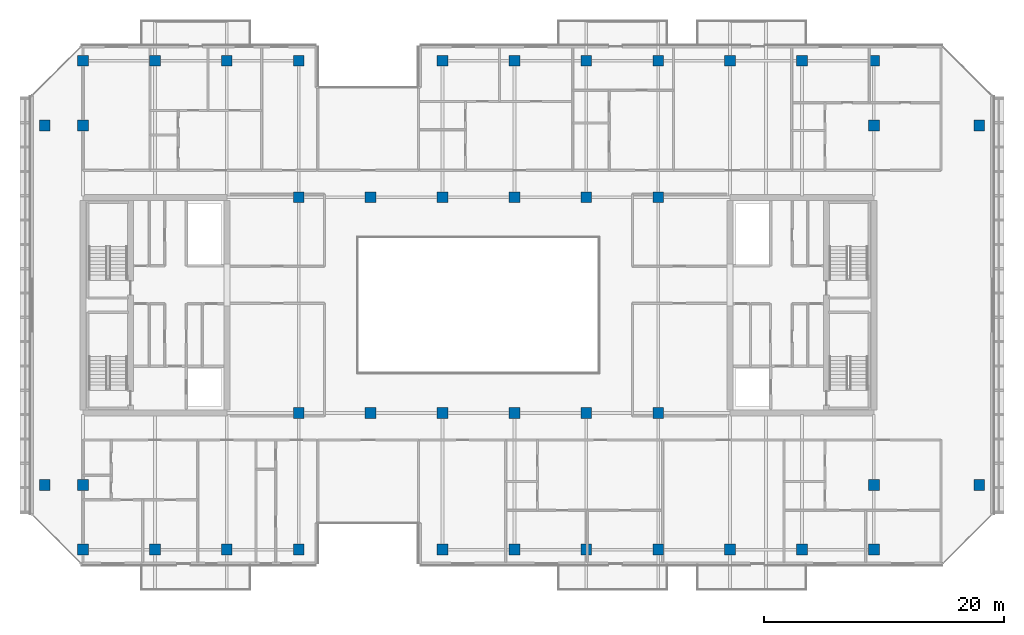
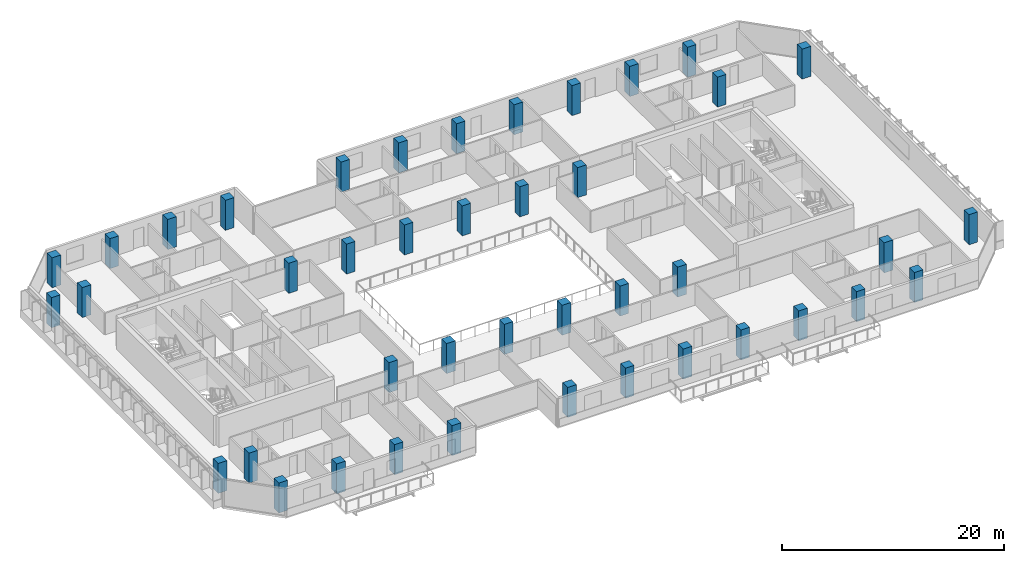
# One storey, part 1 of 29: 42 columns.
"""IFC4 building model written with IfcOpenShell, lengths in metres."""

from ifc_helpers import new_model, si_unit, direction, frame, origin, origin_2d, place, context, subcontext, project, spatial, rectangle, extrude, material, material_profile, profile_set, type_object, element, save


model = new_model("IFC4")

# Units and contexts
model_context = context("Model", 3, precision=1e-05, world=origin(), true_north=direction((0.0, 1.0)))
body_context = subcontext(model_context, "Body", "Model", "MODEL_VIEW")
ifc_project = project(units=[si_unit("LENGTHUNIT", "METRE"), si_unit("AREAUNIT", "SQUARE_METRE"), si_unit("VOLUMEUNIT", "CUBIC_METRE"), si_unit("PLANEANGLEUNIT", "RADIAN"), si_unit("MASSUNIT", "GRAM", prefix="KILO")], contexts=[model_context])

# Site, building, storey
site_placement = place(None, origin())
site = spatial("IfcSite", under=ifc_project, at=site_placement, CompositionType="ELEMENT")
building_placement = place(site_placement, origin())
building = spatial("IfcBuilding", under=site, at=building_placement, Name="Tanjung Sevakor Pilgrim Tower", CompositionType="ELEMENT")
storey_placement = place(building_placement, frame((0.0, 0.0, 148.5)))
storey = spatial("IfcBuildingStorey", under=building, at=storey_placement, Name="L41", CompositionType="ELEMENT", Elevation=148.5)

# Columns
ifc_material = material(Name="Concrete C60/75", Category="concrete")
ifc_material_profile = material_profile(ifc_material, rectangle(XDim=0.89990234375, YDim=0.89990234375, at=origin_2d()))
ifc_profile_set = profile_set([ifc_material_profile], Name="Concrete C60/75")
column_type = type_object("IfcColumnType", Name="COL-C-T900-RC_900x900", PredefinedType="COLUMN", material=ifc_profile_set)
for number, where, z_axis, x_axis, name in (
    (1, (42.0, 24.60009765625, 0.0), (0.0, 0.0, 1.0), (1.0, 0.0, 0.0), "L41 Column SPW-042-246"),
    (2, (42.0, 42.60009765625, 0.0), (0.0, 0.0, 1.0), (1.0, 0.0, 0.0), "L41 Column SPW-042-426"),
    (3, (48.0, 24.60009765625, 0.0), (0.0, 0.0, 1.0), (1.0, 0.0, 0.0), "L41 Column SPW-048-246"),
    (4, (48.0, 42.60009765625, 0.0), (0.0, 0.0, 1.0), (1.0, 0.0, 0.0), "L41 Column SPW-048-426"),
    (5, (54.0, 24.60009765625, 0.0), (0.0, 0.0, 1.0), (1.0, 0.0, 0.0), "L41 Column SPE-054-246"),
    (6, (54.0, 42.60009765625, 0.0), (0.0, 0.0, 1.0), (1.0, 0.0, 0.0), "L41 Column SPE-054-426"),
    (7, (60.0, 24.60009765625, 0.0), (0.0, 0.0, 1.0), (1.0, 0.0, 0.0), "L41 Column SPE-060-246"),
    (8, (60.0, 42.60009765625, 0.0), (0.0, 0.0, 1.0), (1.0, 0.0, 0.0), "L41 Column SPE-060-426"),
    (9, (66.0, 24.60009765625, 0.0), (0.0, 0.0, 1.0), (1.0, 0.0, 0.0), "L41 Column SPE-066-246"),
    (10, (66.0, 42.60009765625, 0.0), (0.0, 0.0, 1.0), (1.0, 0.0, 0.0), "L41 Column SPE-066-426"),
    (11, (72.0, 24.60009765625, 0.0), (0.0, 0.0, 1.0), (1.0, 0.0, 0.0), "L41 Column SPE-072-246"),
    (12, (72.0, 42.60009765625, 0.0), (0.0, 0.0, 1.0), (1.0, 0.0, 0.0), "L41 Column SPE-072-426"),
    (13, (20.800048828125, 18.60009765625, 0.0), (0.0, 0.0, 1.0), (1.0, 0.0, 0.0), "L41 Column TCE-0208-186"),
    (14, (20.800048828125, 48.60009765625, 0.0), (0.0, 0.0, 1.0), (1.0, 0.0, 0.0), "L41 Column TCE-0208-486"),
    (15, (24.0, 18.60009765625, 0.0), (0.0, 0.0, 1.0), (1.0, 0.0, 0.0), "L41 Column TCE-0240-186"),
    (16, (24.0, 48.60009765625, 0.0), (0.0, 0.0, 1.0), (1.0, 0.0, 0.0), "L41 Column TCE-0240-486"),
    (17, (90.0, 18.60009765625, 0.0), (0.0, 0.0, 1.0), (1.0, 0.0, 0.0), "L41 Column TCE-0900-186"),
    (18, (90.0, 48.60009765625, 0.0), (0.0, 0.0, 1.0), (1.0, 0.0, 0.0), "L41 Column TCE-0900-486"),
    (19, (98.800048828125, 18.60009765625, 0.0), (0.0, 0.0, 1.0), (1.0, 0.0, 0.0), "L41 Column TCE-0988-186"),
    (20, (98.800048828125, 48.60009765625, 0.0), (0.0, 0.0, 1.0), (1.0, 0.0, 0.0), "L41 Column TCE-0988-486"),
    (21, (24.0, 13.199951171875, 0.0), (0.0, 0.0, 1.0), (1.0, 0.0, 0.0), "L41 Column TC3-024-132"),
    (22, (24.0, 54.0, 0.0), (0.0, 0.0, 1.0), (1.0, 0.0, 0.0), "L41 Column TC3-024-540"),
    (23, (30.0, 13.199951171875, 0.0), (0.0, 0.0, 1.0), (1.0, 0.0, 0.0), "L41 Column TC3-030-132"),
    (24, (30.0, 54.0, 0.0), (0.0, 0.0, 1.0), (1.0, 0.0, 0.0), "L41 Column TC3-030-540"),
    (25, (36.0, 13.199951171875, 0.0), (0.0, 0.0, 1.0), (1.0, 0.0, 0.0), "L41 Column TC3-036-132"),
    (26, (36.0, 54.0, 0.0), (0.0, 0.0, 1.0), (1.0, 0.0, 0.0), "L41 Column TC3-036-540"),
    (27, (42.0, 13.199951171875, 0.0), (0.0, 0.0, 1.0), (1.0, 0.0, 0.0), "L41 Column TC3-042-132"),
    (28, (42.0, 54.0, 0.0), (0.0, 0.0, 1.0), (1.0, 0.0, 0.0), "L41 Column TC3-042-540"),
    (29, (54.0, 13.199951171875, 0.0), (0.0, 0.0, 1.0), (1.0, 0.0, 0.0), "L41 Column TC3-054-132"),
    (30, (54.0, 54.0, 0.0), (0.0, 0.0, 1.0), (1.0, 0.0, 0.0), "L41 Column TC3-054-540"),
    (31, (60.0, 13.199951171875, 0.0), (0.0, 0.0, 1.0), (1.0, 0.0, 0.0), "L41 Column TC3-060-132"),
    (32, (60.0, 54.0, 0.0), (0.0, 0.0, 1.0), (1.0, 0.0, 0.0), "L41 Column TC3-060-540"),
    (33, (66.0, 13.199951171875, 0.0), (0.0, 0.0, 1.0), (1.0, 0.0, 0.0), "L41 Column TC3-066-132"),
    (34, (66.0, 54.0, 0.0), (0.0, 0.0, 1.0), (1.0, 0.0, 0.0), "L41 Column TC3-066-540"),
    (35, (72.0, 13.199951171875, 0.0), (0.0, 0.0, 1.0), (1.0, 0.0, 0.0), "L41 Column TC3-072-132"),
    (36, (72.0, 54.0, 0.0), (0.0, 0.0, 1.0), (1.0, 0.0, 0.0), "L41 Column TC3-072-540"),
    (37, (78.0, 13.199951171875, 0.0), (0.0, 0.0, 1.0), (1.0, 0.0, 0.0), "L41 Column TC3-078-132"),
    (38, (78.0, 54.0, 0.0), (0.0, 0.0, 1.0), (1.0, 0.0, 0.0), "L41 Column TC3-078-540"),
    (39, (84.0, 13.199951171875, 0.0), (0.0, 0.0, 1.0), (1.0, 0.0, 0.0), "L41 Column TC3-084-132"),
    (40, (84.0, 54.0, 0.0), (0.0, 0.0, 1.0), (1.0, 0.0, 0.0), "L41 Column TC3-084-540"),
    (41, (90.0, 13.199951171875, 0.0), (0.0, 0.0, 1.0), (1.0, 0.0, 0.0), "L41 Column TC3-090-132"),
    (42, (90.0, 54.0, 0.0), (0.0, 0.0, 1.0), (1.0, 0.0, 0.0), "L41 Column TC3-090-540"),
):
    element("IfcColumn", number, at=place(storey_placement, frame(where, z_axis=z_axis, x_axis=x_axis)), inside=storey, type_object=column_type, Name=name, PredefinedType="COLUMN", context=body_context, shape_type="SweptSolid", body=[
        extrude(rectangle(XDim=0.89990234375, YDim=0.89990234375, at=origin_2d()), origin(), (0.0, 0.0, 1.0), 3.300048828125),
    ])

save(model, "model.ifc")
